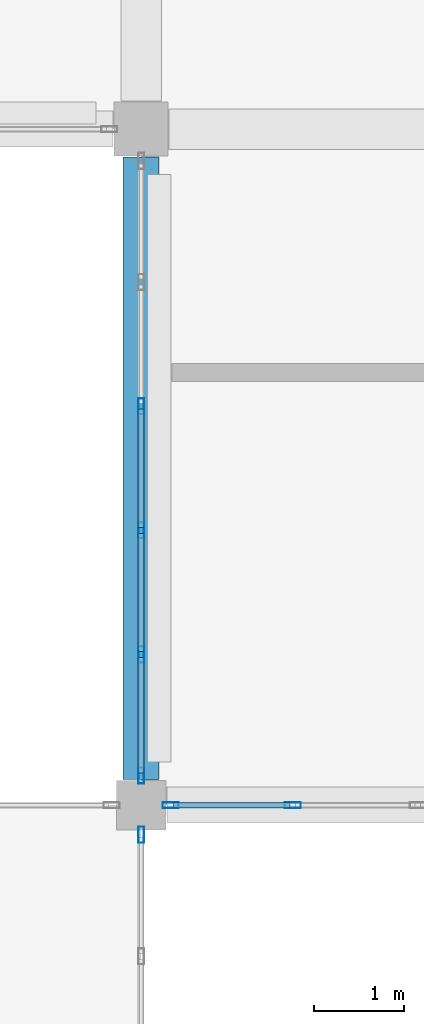
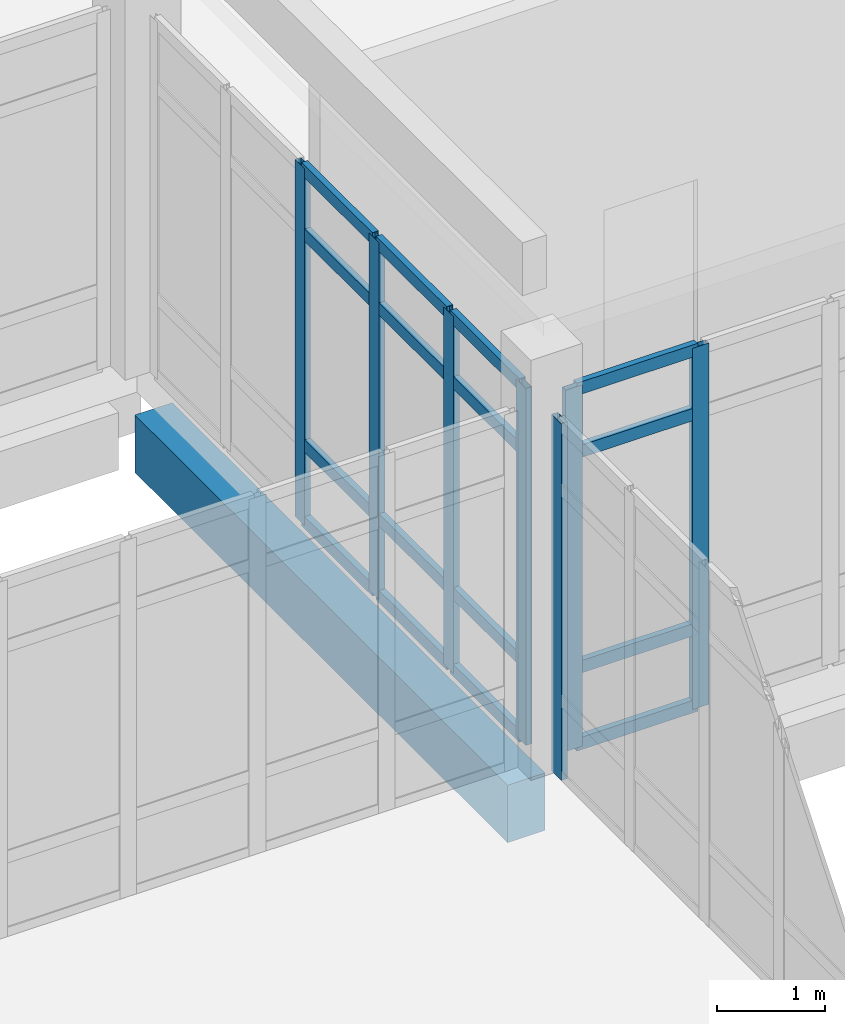
# One storey, part 62 of 173: 23 members, 1 beam, 3 elements without a shape of their own.
"""IFC4 building model written with IfcOpenShell, lengths in metres."""

from ifc_helpers import new_model, si_unit, direction, frame, origin, origin_2d, place, context, subcontext, project, spatial, rectangle, hollow_rectangle, extrude, material, layer, layer_set, material_profile, profile_set, type_object, element, aggregate, save


model = new_model("IFC4")

# Units and contexts
model_context = context("Model", 3, precision=1e-05, world=origin(), true_north=direction((0.0, 1.0)))
body_context = subcontext(model_context, "Body", "Model", "MODEL_VIEW")
ifc_project = project(units=[si_unit("LENGTHUNIT", "METRE"), si_unit("AREAUNIT", "SQUARE_METRE"), si_unit("VOLUMEUNIT", "CUBIC_METRE"), si_unit("PLANEANGLEUNIT", "RADIAN"), si_unit("MASSUNIT", "GRAM", prefix="KILO")], contexts=[model_context])

# Site, building, storey
site_placement = place(None, origin())
site = spatial("IfcSite", under=ifc_project, at=site_placement, CompositionType="ELEMENT")
building_placement = place(site_placement, origin())
building = spatial("IfcBuilding", under=site, at=building_placement, Name="Mawjan Specialist Oncology Clinic", CompositionType="ELEMENT")
storey_placement = place(building_placement, origin())
storey = spatial("IfcBuildingStorey", under=building, at=storey_placement, Name="L00", CompositionType="ELEMENT", Elevation=0.0)

# Curtain wall, members
ifc_material_1 = material(Name="Unitised spectrally selective aluminium curtain wall", Category="aluminium")
ifc_layer_1 = layer(ifc_material_1, 0.179931640625, Name="Unitised spectrally selective aluminium curtain wall", Category="aluminium")
ifc_layer_set_1 = layer_set([ifc_layer_1], Name="Unitised spectrally selective aluminium curtain wall")
curtain_wall_type_1 = type_object("IfcCurtainWallType", Name="CW-10", PredefinedType="NOTDEFINED", material=ifc_layer_set_1)
curtain_wall_1_placement = place(storey_placement, origin())
curtain_wall_1 = element("IfcCurtainWall", 1, at=curtain_wall_1_placement, inside=storey, type_object=curtain_wall_type_1, Name="L00 Unitised Curtain Wall CW-L00-015", PredefinedType="NOTDEFINED")
ifc_material_2 = material(Name="Thermally broken aluminium 6063-T6", Category="aluminium")
ifc_material_profile_1 = material_profile(ifc_material_2, hollow_rectangle(XDim=0.06494140625, YDim=0.179931640625, WallThickness=0.00390625, at=origin_2d()), Name="ALU MULLION 180x65x4", Category="aluminium")
ifc_profile_set_1 = profile_set([ifc_material_profile_1], Name="Thermally broken aluminium 6063-T6")
member_type_1 = type_object("IfcMemberType", Name="CW-M180", PredefinedType="MULLION", material=ifc_profile_set_1)
member_1_placement = place(storey_placement, frame((45.0, 76.12744140625, 0.0), z_axis=(0.0, 0.0, 1.0), x_axis=(-1.0, 0.0, 0.0)))
member_1 = element("IfcMember", 2, at=member_1_placement, type_object=member_type_1, Name="CW-10 mullion 1", PredefinedType="MULLION", context=body_context, shape_type="SweptSolid", body=[
    extrude(hollow_rectangle(XDim=0.06494140625, YDim=0.179931640625, WallThickness=0.00390625, at=origin_2d()), origin(), (0.0, 0.0, 1.0), 4.034912109375),
])
member_2_placement = place(storey_placement, frame((45.0, 77.471923828125, 0.0), z_axis=(0.0, 0.0, 1.0), x_axis=(-1.0, 0.0, 0.0)))
member_2 = element("IfcMember", 3, at=member_2_placement, type_object=member_type_1, Name="CW-10 mullion 2", PredefinedType="MULLION", context=body_context, shape_type="SweptSolid", body=[
    extrude(hollow_rectangle(XDim=0.06494140625, YDim=0.179931640625, WallThickness=0.00390625, at=origin_2d()), origin(), (0.0, 0.0, 1.0), 4.034912109375),
])
member_3_placement = place(storey_placement, frame((45.0, 78.84912109375, 0.0), z_axis=(0.0, 0.0, 1.0), x_axis=(-1.0, 0.0, 0.0)))
member_3 = element("IfcMember", 4, at=member_3_placement, type_object=member_type_1, Name="CW-10 mullion 3", PredefinedType="MULLION", context=body_context, shape_type="SweptSolid", body=[
    extrude(hollow_rectangle(XDim=0.06494140625, YDim=0.179931640625, WallThickness=0.00390625, at=origin_2d()), origin(), (0.0, 0.0, 1.0), 4.034912109375),
])
member_4_placement = place(storey_placement, frame((45.0, 80.22607421875, 0.0), z_axis=(0.0, 0.0, 1.0), x_axis=(-1.0, 0.0, 0.0)))
member_4 = element("IfcMember", 5, at=member_4_placement, type_object=member_type_1, Name="CW-10 mullion 4", PredefinedType="MULLION", context=body_context, shape_type="SweptSolid", body=[
    extrude(hollow_rectangle(XDim=0.06494140625, YDim=0.179931640625, WallThickness=0.00390625, at=origin_2d()), origin(), (0.0, 0.0, 1.0), 4.034912109375),
])

ifc_material_3 = material(Name="Unitised spectrally selective aluminium curtain wall", Category="aluminium")
ifc_layer_2 = layer(ifc_material_3, 0.179931640625, Name="Unitised spectrally selective aluminium curtain wall", Category="aluminium")
ifc_layer_set_2 = layer_set([ifc_layer_2], Name="Unitised spectrally selective aluminium curtain wall")
curtain_wall_type_2 = type_object("IfcCurtainWallType", Name="CW-26", PredefinedType="NOTDEFINED", material=ifc_layer_set_2)
curtain_wall_2_placement = place(storey_placement, origin())
curtain_wall_2 = element("IfcCurtainWall", 6, at=curtain_wall_2_placement, inside=storey, type_object=curtain_wall_type_2, Name="L00 Unitised Curtain Wall CW-L00-044", PredefinedType="NOTDEFINED")
member_5_placement = place(storey_placement, frame((46.681884765625, 75.800048828125, 0.0), z_axis=(0.0, 0.0, 1.0), x_axis=(0.0, -1.0, 0.0)))
member_5 = element("IfcMember", 7, at=member_5_placement, type_object=member_type_1, Name="CW-26 mullion 5", PredefinedType="MULLION", context=body_context, shape_type="SweptSolid", body=[
    extrude(hollow_rectangle(XDim=0.06494140625, YDim=0.179931640625, WallThickness=0.00390625, at=origin_2d()), origin(), (0.0, 0.0, 1.0), 4.0849609375),
])
member_6_placement = place(storey_placement, frame((45.327392578125, 75.800048828125, 0.0), z_axis=(0.0, 0.0, 1.0), x_axis=(0.0, -1.0, 0.0)))
member_6 = element("IfcMember", 8, at=member_6_placement, type_object=member_type_1, Name="CW-26 mullion 6", PredefinedType="MULLION", context=body_context, shape_type="SweptSolid", body=[
    extrude(hollow_rectangle(XDim=0.06494140625, YDim=0.179931640625, WallThickness=0.00390625, at=origin_2d()), origin(), (0.0, 0.0, 1.0), 4.0849609375),
])

# Curtain wall, member
ifc_material_4 = material(Name="Unitised spectrally selective aluminium curtain wall", Category="aluminium")
ifc_layer_3 = layer(ifc_material_4, 0.179931640625, Name="Unitised spectrally selective aluminium curtain wall", Category="aluminium")
ifc_layer_set_3 = layer_set([ifc_layer_3], Name="Unitised spectrally selective aluminium curtain wall")
curtain_wall_type_3 = type_object("IfcCurtainWallType", Name="CW-09", PredefinedType="NOTDEFINED", material=ifc_layer_set_3)
curtain_wall_3_placement = place(storey_placement, origin())
curtain_wall_3 = element("IfcCurtainWall", 9, at=curtain_wall_3_placement, inside=storey, type_object=curtain_wall_type_3, Name="L00 Unitised Curtain Wall CW-L00-045", PredefinedType="NOTDEFINED")
member_7_placement = place(storey_placement, frame((45.0, 75.472412109375, 0.0), z_axis=(0.0, 0.0, 1.0), x_axis=(1.0, 0.0, 0.0)))
member_7 = element("IfcMember", 10, at=member_7_placement, type_object=member_type_1, Name="CW-09 mullion 1", PredefinedType="MULLION", context=body_context, shape_type="SweptSolid", body=[
    extrude(hollow_rectangle(XDim=0.06494140625, YDim=0.179931640625, WallThickness=0.00390625, at=origin_2d()), origin(), (0.0, 0.0, 1.0), 4.034912109375),
])
aggregate(curtain_wall_3, [member_7])

# Member
ifc_material_5 = material(Name="Thermally broken aluminium 6063-T6", Category="aluminium")
ifc_material_profile_2 = material_profile(ifc_material_5, hollow_rectangle(XDim=0.06494140625, YDim=0.139892578125, WallThickness=0.00390625, at=origin_2d()), Name="ALU TRANSOM 140x65x4", Category="aluminium")
ifc_profile_set_2 = profile_set([ifc_material_profile_2], Name="Thermally broken aluminium 6063-T6")
member_type_2 = type_object("IfcMemberType", Name="CW-T140", PredefinedType="USERDEFINED", material=ifc_profile_set_2)
member_8_placement = place(storey_placement, frame((45.0, 76.159912109375, 0.032470703125), z_axis=(0.0, 1.0, 0.0), x_axis=(-1.0, 0.0, 0.0)))
member_8 = element("IfcMember", 11, at=member_8_placement, type_object=member_type_2, Name="CW-10 transom 1.1", ObjectType="TRANSOM", PredefinedType="USERDEFINED", context=body_context, shape_type="SweptSolid", body=[
    extrude(hollow_rectangle(XDim=0.06494140625, YDim=0.139892578125, WallThickness=0.00390625, at=origin_2d()), origin(), (0.0, 0.0, 1.0), 1.279541015625),
])

member_9_placement = place(storey_placement, frame((45.0, 76.159912109375, 0.89990234375), z_axis=(0.0, 1.0, 0.0), x_axis=(-1.0, 0.0, 0.0)))
member_9 = element("IfcMember", 12, at=member_9_placement, type_object=member_type_2, Name="CW-10 transom 1.2", ObjectType="TRANSOM", PredefinedType="USERDEFINED", context=body_context, shape_type="SweptSolid", body=[
    extrude(hollow_rectangle(XDim=0.06494140625, YDim=0.139892578125, WallThickness=0.00390625, at=origin_2d()), origin(), (0.0, 0.0, 1.0), 1.279541015625),
])

member_10_placement = place(storey_placement, frame((45.0, 76.159912109375, 3.284912109375), z_axis=(0.0, 1.0, 0.0), x_axis=(-1.0, 0.0, 0.0)))
member_10 = element("IfcMember", 13, at=member_10_placement, type_object=member_type_2, Name="CW-10 transom 1.3", ObjectType="TRANSOM", PredefinedType="USERDEFINED", context=body_context, shape_type="SweptSolid", body=[
    extrude(hollow_rectangle(XDim=0.06494140625, YDim=0.139892578125, WallThickness=0.00390625, at=origin_2d()), origin(), (0.0, 0.0, 1.0), 1.279541015625),
])

member_11_placement = place(storey_placement, frame((45.0, 76.159912109375, 4.00244140625), z_axis=(0.0, 1.0, 0.0), x_axis=(-1.0, 0.0, 0.0)))
member_11 = element("IfcMember", 14, at=member_11_placement, type_object=member_type_2, Name="CW-10 transom 1.4", ObjectType="TRANSOM", PredefinedType="USERDEFINED", context=body_context, shape_type="SweptSolid", body=[
    extrude(hollow_rectangle(XDim=0.06494140625, YDim=0.139892578125, WallThickness=0.00390625, at=origin_2d()), origin(), (0.0, 0.0, 1.0), 1.279541015625),
])

member_12_placement = place(storey_placement, frame((45.0, 77.50439453125, 0.032470703125), z_axis=(0.0, 1.0, 0.0), x_axis=(-1.0, 0.0, 0.0)))
member_12 = element("IfcMember", 15, at=member_12_placement, type_object=member_type_2, Name="CW-10 transom 2.1", ObjectType="TRANSOM", PredefinedType="USERDEFINED", context=body_context, shape_type="SweptSolid", body=[
    extrude(hollow_rectangle(XDim=0.06494140625, YDim=0.139892578125, WallThickness=0.00390625, at=origin_2d()), origin(), (0.0, 0.0, 1.0), 1.31201171875),
])

member_13_placement = place(storey_placement, frame((45.0, 77.50439453125, 0.89990234375), z_axis=(0.0, 1.0, 0.0), x_axis=(-1.0, 0.0, 0.0)))
member_13 = element("IfcMember", 16, at=member_13_placement, type_object=member_type_2, Name="CW-10 transom 2.2", ObjectType="TRANSOM", PredefinedType="USERDEFINED", context=body_context, shape_type="SweptSolid", body=[
    extrude(hollow_rectangle(XDim=0.06494140625, YDim=0.139892578125, WallThickness=0.00390625, at=origin_2d()), origin(), (0.0, 0.0, 1.0), 1.31201171875),
])

member_14_placement = place(storey_placement, frame((45.0, 77.50439453125, 3.284912109375), z_axis=(0.0, 1.0, 0.0), x_axis=(-1.0, 0.0, 0.0)))
member_14 = element("IfcMember", 17, at=member_14_placement, type_object=member_type_2, Name="CW-10 transom 2.3", ObjectType="TRANSOM", PredefinedType="USERDEFINED", context=body_context, shape_type="SweptSolid", body=[
    extrude(hollow_rectangle(XDim=0.06494140625, YDim=0.139892578125, WallThickness=0.00390625, at=origin_2d()), origin(), (0.0, 0.0, 1.0), 1.31201171875),
])

member_15_placement = place(storey_placement, frame((45.0, 77.50439453125, 4.00244140625), z_axis=(0.0, 1.0, 0.0), x_axis=(-1.0, 0.0, 0.0)))
member_15 = element("IfcMember", 18, at=member_15_placement, type_object=member_type_2, Name="CW-10 transom 2.4", ObjectType="TRANSOM", PredefinedType="USERDEFINED", context=body_context, shape_type="SweptSolid", body=[
    extrude(hollow_rectangle(XDim=0.06494140625, YDim=0.139892578125, WallThickness=0.00390625, at=origin_2d()), origin(), (0.0, 0.0, 1.0), 1.31201171875),
])

member_16_placement = place(storey_placement, frame((45.0, 78.881591796875, 0.032470703125), z_axis=(0.0, 1.0, 0.0), x_axis=(-1.0, 0.0, 0.0)))
member_16 = element("IfcMember", 19, at=member_16_placement, type_object=member_type_2, Name="CW-10 transom 3.1", ObjectType="TRANSOM", PredefinedType="USERDEFINED", context=body_context, shape_type="SweptSolid", body=[
    extrude(hollow_rectangle(XDim=0.06494140625, YDim=0.139892578125, WallThickness=0.00390625, at=origin_2d()), origin(), (0.0, 0.0, 1.0), 1.31201171875),
])

member_17_placement = place(storey_placement, frame((45.0, 78.881591796875, 0.89990234375), z_axis=(0.0, 1.0, 0.0), x_axis=(-1.0, 0.0, 0.0)))
member_17 = element("IfcMember", 20, at=member_17_placement, type_object=member_type_2, Name="CW-10 transom 3.2", ObjectType="TRANSOM", PredefinedType="USERDEFINED", context=body_context, shape_type="SweptSolid", body=[
    extrude(hollow_rectangle(XDim=0.06494140625, YDim=0.139892578125, WallThickness=0.00390625, at=origin_2d()), origin(), (0.0, 0.0, 1.0), 1.31201171875),
])

member_18_placement = place(storey_placement, frame((45.0, 78.881591796875, 3.284912109375), z_axis=(0.0, 1.0, 0.0), x_axis=(-1.0, 0.0, 0.0)))
member_18 = element("IfcMember", 21, at=member_18_placement, type_object=member_type_2, Name="CW-10 transom 3.3", ObjectType="TRANSOM", PredefinedType="USERDEFINED", context=body_context, shape_type="SweptSolid", body=[
    extrude(hollow_rectangle(XDim=0.06494140625, YDim=0.139892578125, WallThickness=0.00390625, at=origin_2d()), origin(), (0.0, 0.0, 1.0), 1.31201171875),
])

member_19_placement = place(storey_placement, frame((45.0, 78.881591796875, 4.00244140625), z_axis=(0.0, 1.0, 0.0), x_axis=(-1.0, 0.0, 0.0)))
member_19 = element("IfcMember", 22, at=member_19_placement, type_object=member_type_2, Name="CW-10 transom 3.4", ObjectType="TRANSOM", PredefinedType="USERDEFINED", context=body_context, shape_type="SweptSolid", body=[
    extrude(hollow_rectangle(XDim=0.06494140625, YDim=0.139892578125, WallThickness=0.00390625, at=origin_2d()), origin(), (0.0, 0.0, 1.0), 1.31201171875),
])

aggregate(curtain_wall_1, [member_1, member_2, member_3, member_4, member_8, member_9, member_10, member_11, member_12, member_13, member_14, member_15, member_16, member_17, member_18, member_19])

member_20_placement = place(storey_placement, frame((46.6494140625, 75.800048828125, 0.032470703125), z_axis=(-1.0, 0.0, 0.0), x_axis=(0.0, -1.0, 0.0)))
member_20 = element("IfcMember", 23, at=member_20_placement, type_object=member_type_2, Name="CW-26 transom 5.1", ObjectType="TRANSOM", PredefinedType="USERDEFINED", context=body_context, shape_type="SweptSolid", body=[
    extrude(hollow_rectangle(XDim=0.06494140625, YDim=0.139892578125, WallThickness=0.00390625, at=origin_2d()), origin(), (0.0, 0.0, 1.0), 1.289306640625),
])

member_21_placement = place(storey_placement, frame((46.6494140625, 75.800048828125, 0.89990234375), z_axis=(-1.0, 0.0, 0.0), x_axis=(0.0, -1.0, 0.0)))
member_21 = element("IfcMember", 24, at=member_21_placement, type_object=member_type_2, Name="CW-26 transom 5.2", ObjectType="TRANSOM", PredefinedType="USERDEFINED", context=body_context, shape_type="SweptSolid", body=[
    extrude(hollow_rectangle(XDim=0.06494140625, YDim=0.139892578125, WallThickness=0.00390625, at=origin_2d()), origin(), (0.0, 0.0, 1.0), 1.289306640625),
])

member_22_placement = place(storey_placement, frame((46.6494140625, 75.800048828125, 3.3349609375), z_axis=(-1.0, 0.0, 0.0), x_axis=(0.0, -1.0, 0.0)))
member_22 = element("IfcMember", 25, at=member_22_placement, type_object=member_type_2, Name="CW-26 transom 5.3", ObjectType="TRANSOM", PredefinedType="USERDEFINED", context=body_context, shape_type="SweptSolid", body=[
    extrude(hollow_rectangle(XDim=0.06494140625, YDim=0.139892578125, WallThickness=0.00390625, at=origin_2d()), origin(), (0.0, 0.0, 1.0), 1.289306640625),
])

member_23_placement = place(storey_placement, frame((46.6494140625, 75.800048828125, 4.052490234375), z_axis=(-1.0, 0.0, 0.0), x_axis=(0.0, -1.0, 0.0)))
member_23 = element("IfcMember", 26, at=member_23_placement, type_object=member_type_2, Name="CW-26 transom 5.4", ObjectType="TRANSOM", PredefinedType="USERDEFINED", context=body_context, shape_type="SweptSolid", body=[
    extrude(hollow_rectangle(XDim=0.06494140625, YDim=0.139892578125, WallThickness=0.00390625, at=origin_2d()), origin(), (0.0, 0.0, 1.0), 1.289306640625),
])

aggregate(curtain_wall_2, [member_5, member_6, member_20, member_21, member_22, member_23])

# Beam
ifc_material_6 = material(Name="Concrete C45/55", Category="concrete")
ifc_material_profile_3 = material_profile(ifc_material_6, rectangle(XDim=0.39990234375, YDim=0.64990234375, at=origin_2d()), Name="RC BM 400x650", Category="concrete")
ifc_profile_set_3 = profile_set([ifc_material_profile_3], Name="Concrete C45/55")
beam_type = type_object("IfcBeamType", Name="SP-400x650", PredefinedType="SPANDREL", material=ifc_profile_set_3)
beam_placement = place(storey_placement, frame((45.0, 76.0849609375, -0.7451171875), z_axis=(0.0, 1.0, 0.0), x_axis=(-1.0, 0.0, 0.0)))
element("IfcBeam", 27, at=beam_placement, inside=storey, type_object=beam_type, Name="L00 Spandrel Beam BM-L00-0122", PredefinedType="SPANDREL", context=body_context, shape_type="SweptSolid", body=[
    extrude(rectangle(XDim=0.39990234375, YDim=0.64990234375, at=origin_2d()), origin(), (0.0, 0.0, 1.0), 6.905029296875),
])

save(model, "model.ifc")
